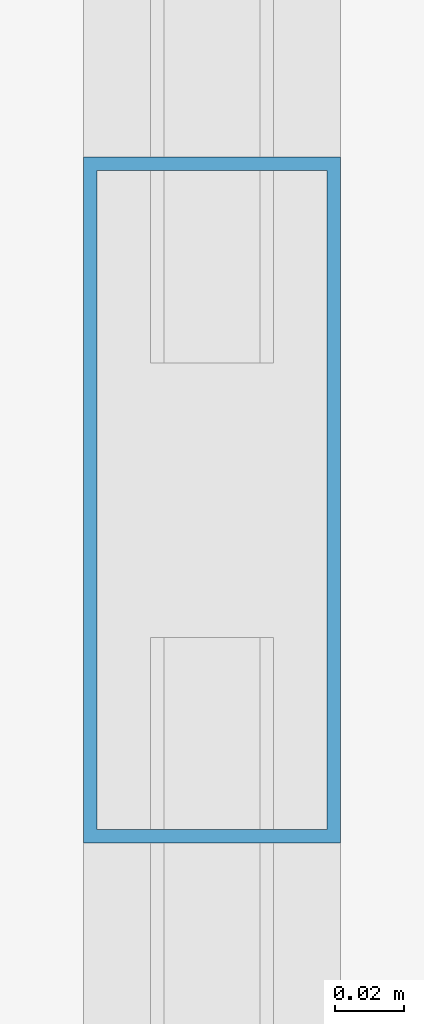
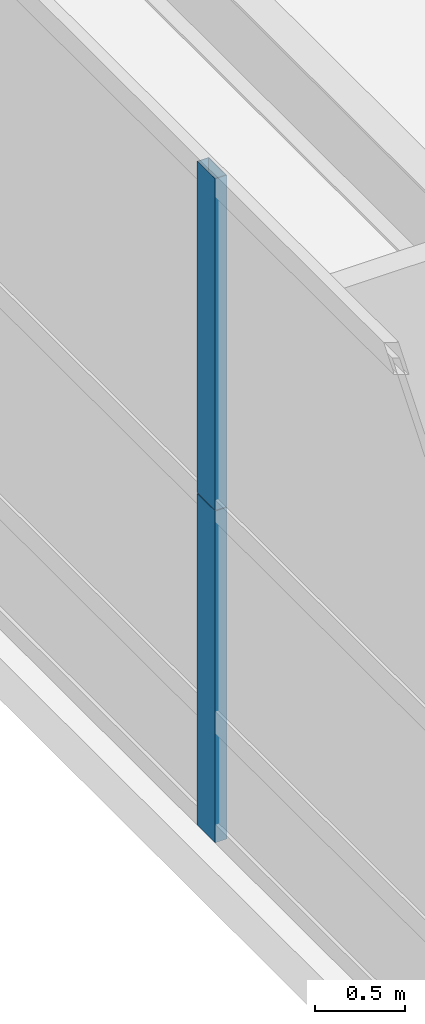
# One storey, part 9 of 37: 2 members, 1 element without a shape of its own.
"""IFC4 building model written with IfcOpenShell, lengths in metres."""

from ifc_helpers import new_model, si_unit, direction, frame, origin, origin_2d, place, context, subcontext, project, spatial, hollow_rectangle, extrude, source, transform, mapped, material, layer, layer_set, material_profile, profile_set, type_object, element, aggregate, save


model = new_model("IFC4")

# Units and contexts
model_context = context("Model", 3, precision=1e-05, world=origin(), true_north=direction((0.0, 1.0)))
body_context = subcontext(model_context, "Body", "Model", "MODEL_VIEW")
ifc_project = project(units=[si_unit("LENGTHUNIT", "METRE"), si_unit("AREAUNIT", "SQUARE_METRE"), si_unit("VOLUMEUNIT", "CUBIC_METRE"), si_unit("PLANEANGLEUNIT", "RADIAN"), si_unit("MASSUNIT", "GRAM", prefix="KILO"), si_unit("THERMODYNAMICTEMPERATUREUNIT", "KELVIN"), si_unit("POWERUNIT", "WATT")], contexts=[model_context])

# Site, building, storey
site_placement = place(None, origin())
site = spatial("IfcSite", under=ifc_project, at=site_placement, CompositionType="ELEMENT")
building_placement = place(site_placement, origin())
building = spatial("IfcBuilding", under=site, at=building_placement, Name="Yuzanri Waterfront Tower", CompositionType="ELEMENT")
storey_placement = place(building_placement, frame((0.0, 0.0, 5.39990234375)))
storey = spatial("IfcBuildingStorey", under=building, at=storey_placement, Name="L02", CompositionType="ELEMENT", Elevation=5.39990234375)

# Curtain wall, members
ifc_material_1 = material(Name="Anodized Architectural Bronze", Category="metal")
ifc_layer = layer(ifc_material_1, 0.159912109375)
ifc_layer_set = layer_set([ifc_layer], Name="Anodized Architectural Bronze")
curtain_wall_type = type_object("IfcCurtainWallType", Name="Anodized Bronze Podium Waterfront Double-Height Unitized Curtain Wall 8400", PredefinedType="NOTDEFINED", material=ifc_layer_set)
curtain_wall_placement = place(storey_placement, origin())
curtain_wall = element("IfcCurtainWall", 1, at=curtain_wall_placement, inside=storey, type_object=curtain_wall_type, Name="L02 Curtain Wall CW-L02-W", PredefinedType="NOTDEFINED")
ifc_material_2 = material(Name="Anodized Architectural Bronze", Category="metal")
ifc_material_profile = material_profile(ifc_material_2, hollow_rectangle(XDim=0.074951171875, YDim=0.199951171875, WallThickness=0.00390625, at=origin_2d()), Name="CWM 75x200")
ifc_profile_set = profile_set([ifc_material_profile], Name="Anodized Architectural Bronze")
member_type = type_object("IfcMemberType", Name="Anodized Bronze Primary Curtain-Wall Mullion 75x200", PredefinedType="MULLION", material=ifc_profile_set)
shared_shape_1 = source(origin(), body_context, "Body", "SweptSolid", [
    extrude(hollow_rectangle(XDim=0.074951171875, YDim=0.199951171875, WallThickness=0.00390625, at=origin_2d()), origin(), (0.0, 0.0, 1.0), 2.258056640625),
])
member_1_placement = place(storey_placement, frame((2.179931640625, 25.800048828125, 0.0), z_axis=(0.0, 0.0, 1.0), x_axis=(1.0, 0.0, 0.0)))
member_1 = element("IfcMember", 2, at=member_1_placement, type_object=member_type, Name="CW-L02-W Lower Mullion 01", PredefinedType="MULLION", context=body_context, shape_type="MappedRepresentation", body=[
    mapped(shared_shape_1, transform((0.0, 0.0, 0.0), scale=1.0)),
])
shared_shape_2 = source(origin(), body_context, "Body", "SweptSolid", [
    extrude(hollow_rectangle(XDim=0.074951171875, YDim=0.199951171875, WallThickness=0.00390625, at=origin_2d()), origin(), (0.0, 0.0, 1.0), 2.2578125),
])
member_2_placement = place(storey_placement, frame((2.179931640625, 25.800048828125, 2.26220703125), z_axis=(0.0, 0.0, 1.0), x_axis=(1.0, 0.0, 0.0)))
member_2 = element("IfcMember", 3, at=member_2_placement, type_object=member_type, Name="CW-L02-W Upper Mullion 01", PredefinedType="MULLION", context=body_context, shape_type="MappedRepresentation", body=[
    mapped(shared_shape_2, transform((0.0, 0.0, 0.0), scale=1.0)),
])
aggregate(curtain_wall, [member_1, member_2])

save(model, "model.ifc")
